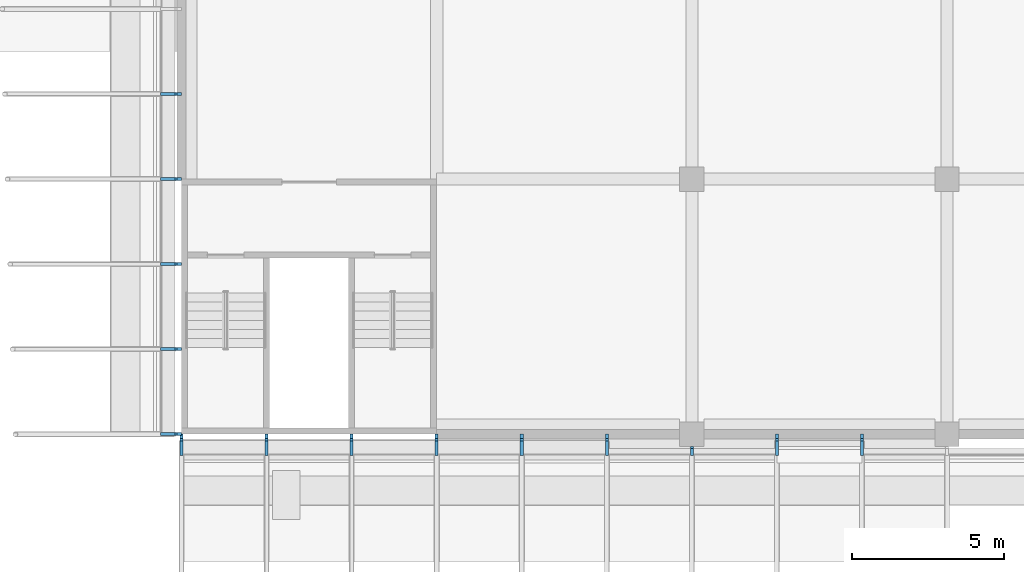
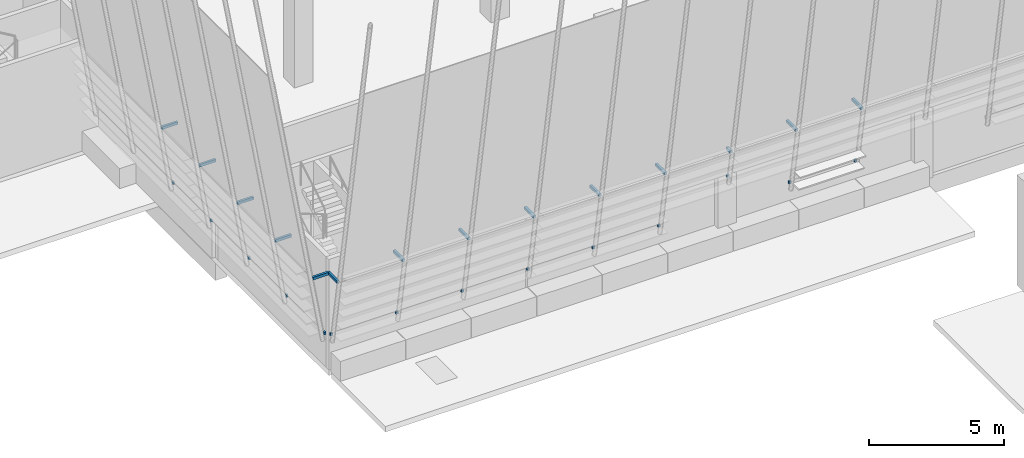
# One storey, part 49 of 101: 28 discrete accessories.
"""IFC4 building model written with IfcOpenShell, lengths in metres."""

from ifc_helpers import new_model, si_unit, direction, frame, origin, origin_2d, place, context, subcontext, project, spatial, rectangle, extrude, material, type_object, element, save


model = new_model("IFC4")

# Units and contexts
model_context = context("Model", 3, precision=1e-05, world=origin(), true_north=direction((0.0, 1.0)))
body_context = subcontext(model_context, "Body", "Model", "MODEL_VIEW")
ifc_project = project(units=[si_unit("LENGTHUNIT", "METRE"), si_unit("AREAUNIT", "SQUARE_METRE"), si_unit("VOLUMEUNIT", "CUBIC_METRE"), si_unit("PLANEANGLEUNIT", "RADIAN"), si_unit("MASSUNIT", "GRAM", prefix="KILO")], contexts=[model_context])

# Site, building, storey
site_placement = place(None, origin())
site = spatial("IfcSite", under=ifc_project, at=site_placement, CompositionType="ELEMENT")
building_placement = place(site_placement, origin())
building = spatial("IfcBuilding", under=site, at=building_placement, Name="Almond Square Museum", CompositionType="ELEMENT")
storey_placement = place(building_placement, frame((0.0, 0.0, 5.5)))
storey = spatial("IfcBuildingStorey", under=building, at=storey_placement, Name="L01", CompositionType="ELEMENT", Elevation=5.5)

# Discrete accessories
ifc_material = material(Name="Stainless steel", Category="steel")
discrete_accessory_type = type_object("IfcDiscreteAccessoryType", Name="Louvre post bracket", PredefinedType="BRACKET", material=ifc_material)
discrete_accessory_1_placement = place(storey_placement, frame((106.800048828125, 50.213623046875, 1.688720703125), z_axis=(0.0, 0.0, 1.0), x_axis=(1.0, 0.0, 0.0)))
element("IfcDiscreteAccessory", 1, at=discrete_accessory_1_placement, inside=storey, type_object=discrete_accessory_type, Name="Bracket louvre post", PredefinedType="BRACKET", context=body_context, shape_type="SweptSolid", body=[
    extrude(rectangle(XDim=0.10009765625, YDim=0.076904296875, at=origin_2d()), origin(), (0.0, 0.0, 1.0), 0.1201171875),
])
discrete_accessory_2_placement = place(storey_placement, frame((106.800048828125, 50.0546875, 4.33984375), z_axis=(0.0, 0.0, 1.0), x_axis=(1.0, 0.0, 0.0)))
element("IfcDiscreteAccessory", 2, at=discrete_accessory_2_placement, inside=storey, type_object=discrete_accessory_type, Name="Bracket louvre post", PredefinedType="BRACKET", context=body_context, shape_type="SweptSolid", body=[
    extrude(rectangle(XDim=0.10009765625, YDim=0.6943359375, at=origin_2d()), origin(), (0.0, 0.0, 1.0), 0.1201171875),
])
discrete_accessory_3_placement = place(storey_placement, frame((109.60009765625, 50.213623046875, 1.688720703125), z_axis=(0.0, 0.0, 1.0), x_axis=(1.0, 0.0, 0.0)))
element("IfcDiscreteAccessory", 3, at=discrete_accessory_3_placement, inside=storey, type_object=discrete_accessory_type, Name="Bracket louvre post", PredefinedType="BRACKET", context=body_context, shape_type="SweptSolid", body=[
    extrude(rectangle(XDim=0.10009765625, YDim=0.076904296875, at=origin_2d()), origin(), (0.0, 0.0, 1.0), 0.1201171875),
])
discrete_accessory_4_placement = place(storey_placement, frame((109.60009765625, 50.0546875, 4.33984375), z_axis=(0.0, 0.0, 1.0), x_axis=(1.0, 0.0, 0.0)))
element("IfcDiscreteAccessory", 4, at=discrete_accessory_4_placement, inside=storey, type_object=discrete_accessory_type, Name="Bracket louvre post", PredefinedType="BRACKET", context=body_context, shape_type="SweptSolid", body=[
    extrude(rectangle(XDim=0.10009765625, YDim=0.6943359375, at=origin_2d()), origin(), (0.0, 0.0, 1.0), 0.1201171875),
])
discrete_accessory_5_placement = place(storey_placement, frame((112.39990234375, 50.213623046875, 1.688720703125), z_axis=(0.0, 0.0, 1.0), x_axis=(1.0, 0.0, 0.0)))
element("IfcDiscreteAccessory", 5, at=discrete_accessory_5_placement, inside=storey, type_object=discrete_accessory_type, Name="Bracket louvre post", PredefinedType="BRACKET", context=body_context, shape_type="SweptSolid", body=[
    extrude(rectangle(XDim=0.10009765625, YDim=0.076904296875, at=origin_2d()), origin(), (0.0, 0.0, 1.0), 0.1201171875),
])
discrete_accessory_6_placement = place(storey_placement, frame((112.39990234375, 50.0546875, 4.33984375), z_axis=(0.0, 0.0, 1.0), x_axis=(1.0, 0.0, 0.0)))
element("IfcDiscreteAccessory", 6, at=discrete_accessory_6_placement, inside=storey, type_object=discrete_accessory_type, Name="Bracket louvre post", PredefinedType="BRACKET", context=body_context, shape_type="SweptSolid", body=[
    extrude(rectangle(XDim=0.10009765625, YDim=0.6943359375, at=origin_2d()), origin(), (0.0, 0.0, 1.0), 0.1201171875),
])
discrete_accessory_7_placement = place(storey_placement, frame((115.199951171875, 50.213623046875, 1.688720703125), z_axis=(0.0, 0.0, 1.0), x_axis=(1.0, 0.0, 0.0)))
element("IfcDiscreteAccessory", 7, at=discrete_accessory_7_placement, inside=storey, type_object=discrete_accessory_type, Name="Bracket louvre post", PredefinedType="BRACKET", context=body_context, shape_type="SweptSolid", body=[
    extrude(rectangle(XDim=0.10009765625, YDim=0.076904296875, at=origin_2d()), origin(), (0.0, 0.0, 1.0), 0.1201171875),
])
discrete_accessory_8_placement = place(storey_placement, frame((115.199951171875, 50.0546875, 4.33984375), z_axis=(0.0, 0.0, 1.0), x_axis=(1.0, 0.0, 0.0)))
element("IfcDiscreteAccessory", 8, at=discrete_accessory_8_placement, inside=storey, type_object=discrete_accessory_type, Name="Bracket louvre post", PredefinedType="BRACKET", context=body_context, shape_type="SweptSolid", body=[
    extrude(rectangle(XDim=0.10009765625, YDim=0.6943359375, at=origin_2d()), origin(), (0.0, 0.0, 1.0), 0.1201171875),
])
discrete_accessory_9_placement = place(storey_placement, frame((118.0, 50.213623046875, 1.688720703125), z_axis=(0.0, 0.0, 1.0), x_axis=(1.0, 0.0, 0.0)))
element("IfcDiscreteAccessory", 9, at=discrete_accessory_9_placement, inside=storey, type_object=discrete_accessory_type, Name="Bracket louvre post", PredefinedType="BRACKET", context=body_context, shape_type="SweptSolid", body=[
    extrude(rectangle(XDim=0.10009765625, YDim=0.076904296875, at=origin_2d()), origin(), (0.0, 0.0, 1.0), 0.1201171875),
])
discrete_accessory_10_placement = place(storey_placement, frame((118.0, 50.0546875, 4.33984375), z_axis=(0.0, 0.0, 1.0), x_axis=(1.0, 0.0, 0.0)))
element("IfcDiscreteAccessory", 10, at=discrete_accessory_10_placement, inside=storey, type_object=discrete_accessory_type, Name="Bracket louvre post", PredefinedType="BRACKET", context=body_context, shape_type="SweptSolid", body=[
    extrude(rectangle(XDim=0.10009765625, YDim=0.6943359375, at=origin_2d()), origin(), (0.0, 0.0, 1.0), 0.1201171875),
])
discrete_accessory_11_placement = place(storey_placement, frame((120.800048828125, 50.213623046875, 1.688720703125), z_axis=(0.0, 0.0, 1.0), x_axis=(1.0, 0.0, 0.0)))
element("IfcDiscreteAccessory", 11, at=discrete_accessory_11_placement, inside=storey, type_object=discrete_accessory_type, Name="Bracket louvre post", PredefinedType="BRACKET", context=body_context, shape_type="SweptSolid", body=[
    extrude(rectangle(XDim=0.10009765625, YDim=0.076904296875, at=origin_2d()), origin(), (0.0, 0.0, 1.0), 0.1201171875),
])
discrete_accessory_12_placement = place(storey_placement, frame((120.800048828125, 50.0546875, 4.33984375), z_axis=(0.0, 0.0, 1.0), x_axis=(1.0, 0.0, 0.0)))
element("IfcDiscreteAccessory", 12, at=discrete_accessory_12_placement, inside=storey, type_object=discrete_accessory_type, Name="Bracket louvre post", PredefinedType="BRACKET", context=body_context, shape_type="SweptSolid", body=[
    extrude(rectangle(XDim=0.10009765625, YDim=0.6943359375, at=origin_2d()), origin(), (0.0, 0.0, 1.0), 0.1201171875),
])
discrete_accessory_13_placement = place(storey_placement, frame((123.60009765625, 49.963623046875, 3.1064453125), z_axis=(0.0, 0.0, 1.0), x_axis=(1.0, 0.0, 0.0)))
element("IfcDiscreteAccessory", 13, at=discrete_accessory_13_placement, inside=storey, type_object=discrete_accessory_type, Name="Bracket louvre post", PredefinedType="BRACKET", context=body_context, shape_type="SweptSolid", body=[
    extrude(rectangle(XDim=0.10009765625, YDim=0.076904296875, at=origin_2d()), origin(), (0.0, 0.0, 1.0), 0.1201171875),
])
discrete_accessory_14_placement = place(storey_placement, frame((123.60009765625, 49.854736328125, 4.33984375), z_axis=(0.0, 0.0, 1.0), x_axis=(1.0, 0.0, 0.0)))
element("IfcDiscreteAccessory", 14, at=discrete_accessory_14_placement, inside=storey, type_object=discrete_accessory_type, Name="Bracket louvre post", PredefinedType="BRACKET", context=body_context, shape_type="SweptSolid", body=[
    extrude(rectangle(XDim=0.10009765625, YDim=0.29443359375, at=origin_2d()), origin(), (0.0, 0.0, 1.0), 0.1201171875),
])
discrete_accessory_15_placement = place(storey_placement, frame((126.39990234375, 50.213623046875, 1.688720703125), z_axis=(0.0, 0.0, 1.0), x_axis=(1.0, 0.0, 0.0)))
element("IfcDiscreteAccessory", 15, at=discrete_accessory_15_placement, inside=storey, type_object=discrete_accessory_type, Name="Bracket louvre post", PredefinedType="BRACKET", context=body_context, shape_type="SweptSolid", body=[
    extrude(rectangle(XDim=0.10009765625, YDim=0.076904296875, at=origin_2d()), origin(), (0.0, 0.0, 1.0), 0.1201171875),
])
discrete_accessory_16_placement = place(storey_placement, frame((126.39990234375, 50.0546875, 4.33984375), z_axis=(0.0, 0.0, 1.0), x_axis=(1.0, 0.0, 0.0)))
element("IfcDiscreteAccessory", 16, at=discrete_accessory_16_placement, inside=storey, type_object=discrete_accessory_type, Name="Bracket louvre post", PredefinedType="BRACKET", context=body_context, shape_type="SweptSolid", body=[
    extrude(rectangle(XDim=0.10009765625, YDim=0.6943359375, at=origin_2d()), origin(), (0.0, 0.0, 1.0), 0.1201171875),
])
discrete_accessory_17_placement = place(storey_placement, frame((129.199951171875, 50.213623046875, 1.688720703125), z_axis=(0.0, 0.0, 1.0), x_axis=(1.0, 0.0, 0.0)))
element("IfcDiscreteAccessory", 17, at=discrete_accessory_17_placement, inside=storey, type_object=discrete_accessory_type, Name="Bracket louvre post", PredefinedType="BRACKET", context=body_context, shape_type="SweptSolid", body=[
    extrude(rectangle(XDim=0.10009765625, YDim=0.076904296875, at=origin_2d()), origin(), (0.0, 0.0, 1.0), 0.1201171875),
])
discrete_accessory_18_placement = place(storey_placement, frame((129.199951171875, 50.0546875, 4.33984375), z_axis=(0.0, 0.0, 1.0), x_axis=(1.0, 0.0, 0.0)))
element("IfcDiscreteAccessory", 18, at=discrete_accessory_18_placement, inside=storey, type_object=discrete_accessory_type, Name="Bracket louvre post", PredefinedType="BRACKET", context=body_context, shape_type="SweptSolid", body=[
    extrude(rectangle(XDim=0.10009765625, YDim=0.6943359375, at=origin_2d()), origin(), (0.0, 0.0, 1.0), 0.1201171875),
])
discrete_accessory_19_placement = place(storey_placement, frame((106.613525390625, 50.39990234375, 1.688720703125), z_axis=(0.0, 0.0, 1.0), x_axis=(1.0, 0.0, 0.0)))
element("IfcDiscreteAccessory", 19, at=discrete_accessory_19_placement, inside=storey, type_object=discrete_accessory_type, Name="Bracket louvre post", PredefinedType="BRACKET", context=body_context, shape_type="SweptSolid", body=[
    extrude(rectangle(XDim=0.076904296875, YDim=0.10009765625, at=origin_2d()), origin(), (0.0, 0.0, 1.0), 0.1201171875),
])
discrete_accessory_20_placement = place(storey_placement, frame((106.454833984375, 50.39990234375, 4.33984375), z_axis=(0.0, 0.0, 1.0), x_axis=(1.0, 0.0, 0.0)))
element("IfcDiscreteAccessory", 20, at=discrete_accessory_20_placement, inside=storey, type_object=discrete_accessory_type, Name="Bracket louvre post", PredefinedType="BRACKET", context=body_context, shape_type="SweptSolid", body=[
    extrude(rectangle(XDim=0.6943359375, YDim=0.10009765625, at=origin_2d()), origin(), (0.0, 0.0, 1.0), 0.1201171875),
])
discrete_accessory_21_placement = place(storey_placement, frame((106.613525390625, 53.199951171875, 1.688720703125), z_axis=(0.0, 0.0, 1.0), x_axis=(1.0, 0.0, 0.0)))
element("IfcDiscreteAccessory", 21, at=discrete_accessory_21_placement, inside=storey, type_object=discrete_accessory_type, Name="Bracket louvre post", PredefinedType="BRACKET", context=body_context, shape_type="SweptSolid", body=[
    extrude(rectangle(XDim=0.076904296875, YDim=0.10009765625, at=origin_2d()), origin(), (0.0, 0.0, 1.0), 0.1201171875),
])
discrete_accessory_22_placement = place(storey_placement, frame((106.454833984375, 53.199951171875, 4.33984375), z_axis=(0.0, 0.0, 1.0), x_axis=(1.0, 0.0, 0.0)))
element("IfcDiscreteAccessory", 22, at=discrete_accessory_22_placement, inside=storey, type_object=discrete_accessory_type, Name="Bracket louvre post", PredefinedType="BRACKET", context=body_context, shape_type="SweptSolid", body=[
    extrude(rectangle(XDim=0.6943359375, YDim=0.10009765625, at=origin_2d()), origin(), (0.0, 0.0, 1.0), 0.1201171875),
])
discrete_accessory_23_placement = place(storey_placement, frame((106.613525390625, 56.0, 1.688720703125), z_axis=(0.0, 0.0, 1.0), x_axis=(1.0, 0.0, 0.0)))
element("IfcDiscreteAccessory", 23, at=discrete_accessory_23_placement, inside=storey, type_object=discrete_accessory_type, Name="Bracket louvre post", PredefinedType="BRACKET", context=body_context, shape_type="SweptSolid", body=[
    extrude(rectangle(XDim=0.076904296875, YDim=0.10009765625, at=origin_2d()), origin(), (0.0, 0.0, 1.0), 0.1201171875),
])
discrete_accessory_24_placement = place(storey_placement, frame((106.454833984375, 56.0, 4.33984375), z_axis=(0.0, 0.0, 1.0), x_axis=(1.0, 0.0, 0.0)))
element("IfcDiscreteAccessory", 24, at=discrete_accessory_24_placement, inside=storey, type_object=discrete_accessory_type, Name="Bracket louvre post", PredefinedType="BRACKET", context=body_context, shape_type="SweptSolid", body=[
    extrude(rectangle(XDim=0.6943359375, YDim=0.10009765625, at=origin_2d()), origin(), (0.0, 0.0, 1.0), 0.1201171875),
])
discrete_accessory_25_placement = place(storey_placement, frame((106.613525390625, 58.800048828125, 1.688720703125), z_axis=(0.0, 0.0, 1.0), x_axis=(1.0, 0.0, 0.0)))
element("IfcDiscreteAccessory", 25, at=discrete_accessory_25_placement, inside=storey, type_object=discrete_accessory_type, Name="Bracket louvre post", PredefinedType="BRACKET", context=body_context, shape_type="SweptSolid", body=[
    extrude(rectangle(XDim=0.076904296875, YDim=0.10009765625, at=origin_2d()), origin(), (0.0, 0.0, 1.0), 0.1201171875),
])
discrete_accessory_26_placement = place(storey_placement, frame((106.454833984375, 58.800048828125, 4.33984375), z_axis=(0.0, 0.0, 1.0), x_axis=(1.0, 0.0, 0.0)))
element("IfcDiscreteAccessory", 26, at=discrete_accessory_26_placement, inside=storey, type_object=discrete_accessory_type, Name="Bracket louvre post", PredefinedType="BRACKET", context=body_context, shape_type="SweptSolid", body=[
    extrude(rectangle(XDim=0.6943359375, YDim=0.10009765625, at=origin_2d()), origin(), (0.0, 0.0, 1.0), 0.1201171875),
])
discrete_accessory_27_placement = place(storey_placement, frame((106.613525390625, 61.60009765625, 1.688720703125), z_axis=(0.0, 0.0, 1.0), x_axis=(1.0, 0.0, 0.0)))
element("IfcDiscreteAccessory", 27, at=discrete_accessory_27_placement, inside=storey, type_object=discrete_accessory_type, Name="Bracket louvre post", PredefinedType="BRACKET", context=body_context, shape_type="SweptSolid", body=[
    extrude(rectangle(XDim=0.076904296875, YDim=0.10009765625, at=origin_2d()), origin(), (0.0, 0.0, 1.0), 0.1201171875),
])
discrete_accessory_28_placement = place(storey_placement, frame((106.454833984375, 61.60009765625, 4.33984375), z_axis=(0.0, 0.0, 1.0), x_axis=(1.0, 0.0, 0.0)))
element("IfcDiscreteAccessory", 28, at=discrete_accessory_28_placement, inside=storey, type_object=discrete_accessory_type, Name="Bracket louvre post", PredefinedType="BRACKET", context=body_context, shape_type="SweptSolid", body=[
    extrude(rectangle(XDim=0.6943359375, YDim=0.10009765625, at=origin_2d()), origin(), (0.0, 0.0, 1.0), 0.1201171875),
])

save(model, "model.ifc")
